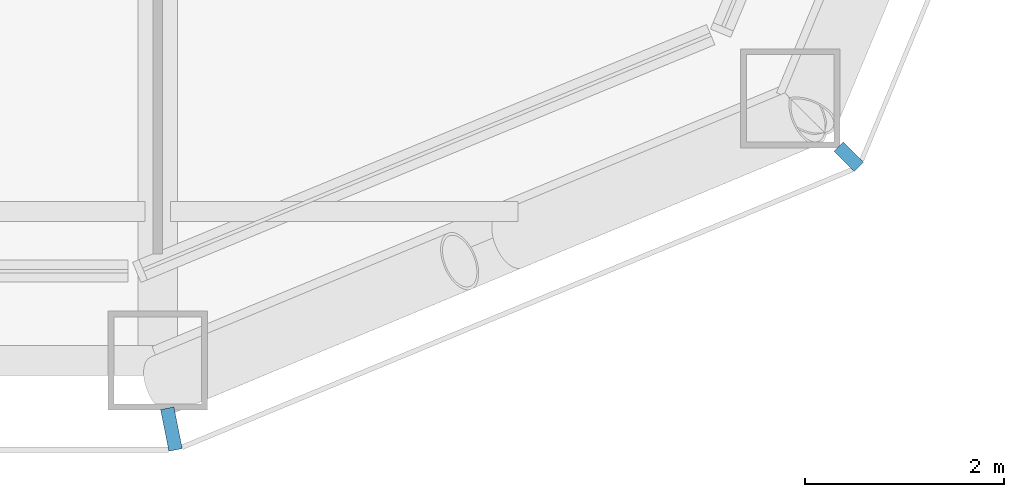
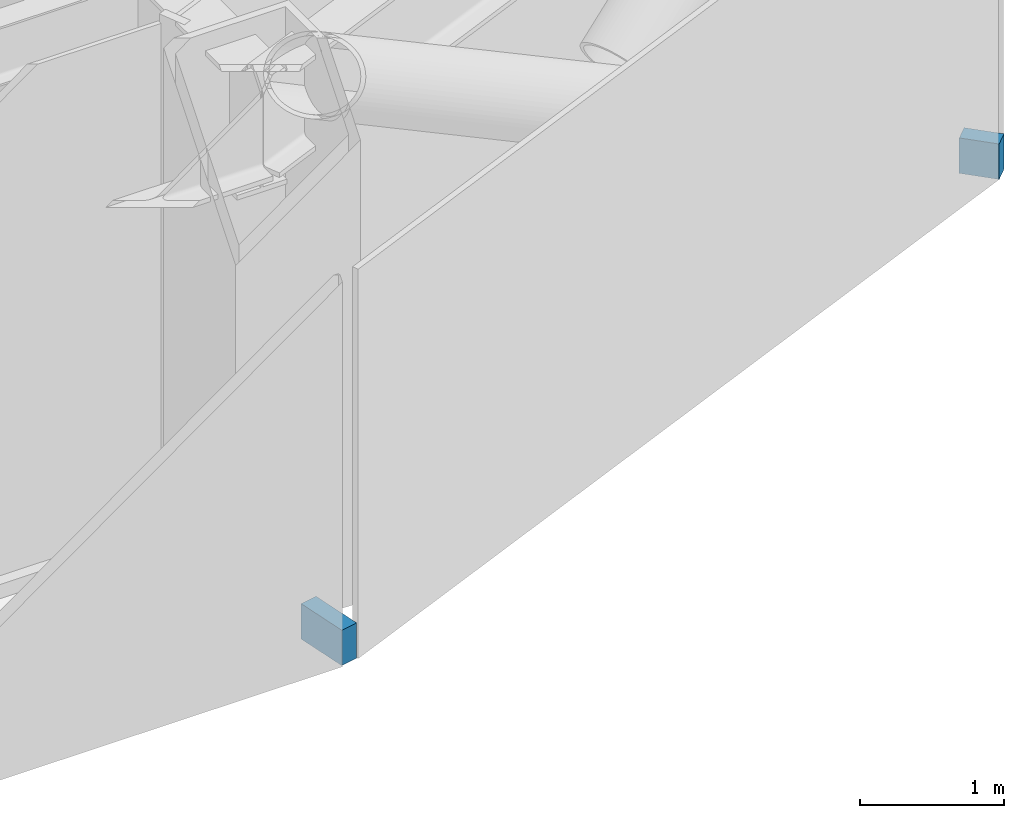
# One storey, part 18 of 29: 2 discrete accessories.
"""IFC4 building model written with IfcOpenShell, lengths in metres."""

from ifc_helpers import new_model, si_unit, direction, frame, origin, origin_2d, place, context, subcontext, project, spatial, rectangle, extrude, material, type_object, element, save


model = new_model("IFC4")

# Units and contexts
model_context = context("Model", 3, precision=1e-05, world=origin(), true_north=direction((0.0, 1.0)))
body_context = subcontext(model_context, "Body", "Model", "MODEL_VIEW")
ifc_project = project(units=[si_unit("LENGTHUNIT", "METRE"), si_unit("AREAUNIT", "SQUARE_METRE"), si_unit("VOLUMEUNIT", "CUBIC_METRE"), si_unit("PLANEANGLEUNIT", "RADIAN"), si_unit("MASSUNIT", "GRAM", prefix="KILO")], contexts=[model_context])

# Site, building, storey
site_placement = place(None, origin())
site = spatial("IfcSite", under=ifc_project, at=site_placement, CompositionType="ELEMENT")
building_placement = place(site_placement, origin())
building = spatial("IfcBuilding", under=site, at=building_placement, Name="Siwar Civic Tower", CompositionType="ELEMENT")
storey_placement = place(building_placement, frame((0.0, 0.0, 67.199951171875)))
storey = spatial("IfcBuildingStorey", under=building, at=storey_placement, Name="L14", CompositionType="ELEMENT", Elevation=67.199951171875)

# Discrete accessories
ifc_material = material(Name="Stainless steel 316", Category="steel")
discrete_accessory_type = type_object("IfcDiscreteAccessoryType", Name="ENV-BRACKET", PredefinedType="BRACKET", material=ifc_material)
discrete_accessory_1_placement = place(storey_placement, frame((22.63720703125, -32.190185546875, -0.14990234375), z_axis=(0.0, 0.0, 1.0), x_axis=(0.195090322016, -0.980785280403, 0.0)))
element("IfcDiscreteAccessory", 1, at=discrete_accessory_1_placement, inside=storey, type_object=discrete_accessory_type, Name="Bracket outer skin joint V01", PredefinedType="BRACKET", context=body_context, shape_type="SweptSolid", body=[
    extrude(rectangle(XDim=0.427734375, YDim=0.13720703125, at=origin_2d()), origin(), (0.0, 0.0, 1.0), 0.300048828125),
])
discrete_accessory_2_placement = place(storey_placement, frame((29.451416015625, -29.451416015625, -0.14990234375), z_axis=(0.0, 0.0, 1.0), x_axis=(0.707106781187, -0.707106781187, 0.0)))
element("IfcDiscreteAccessory", 2, at=discrete_accessory_2_placement, inside=storey, type_object=discrete_accessory_type, Name="Bracket outer skin joint V02", PredefinedType="BRACKET", context=body_context, shape_type="SweptSolid", body=[
    extrude(rectangle(XDim=0.287109375, YDim=0.12939453125, at=origin_2d()), origin(), (0.0, 0.0, 1.0), 0.300048828125),
])

save(model, "model.ifc")
